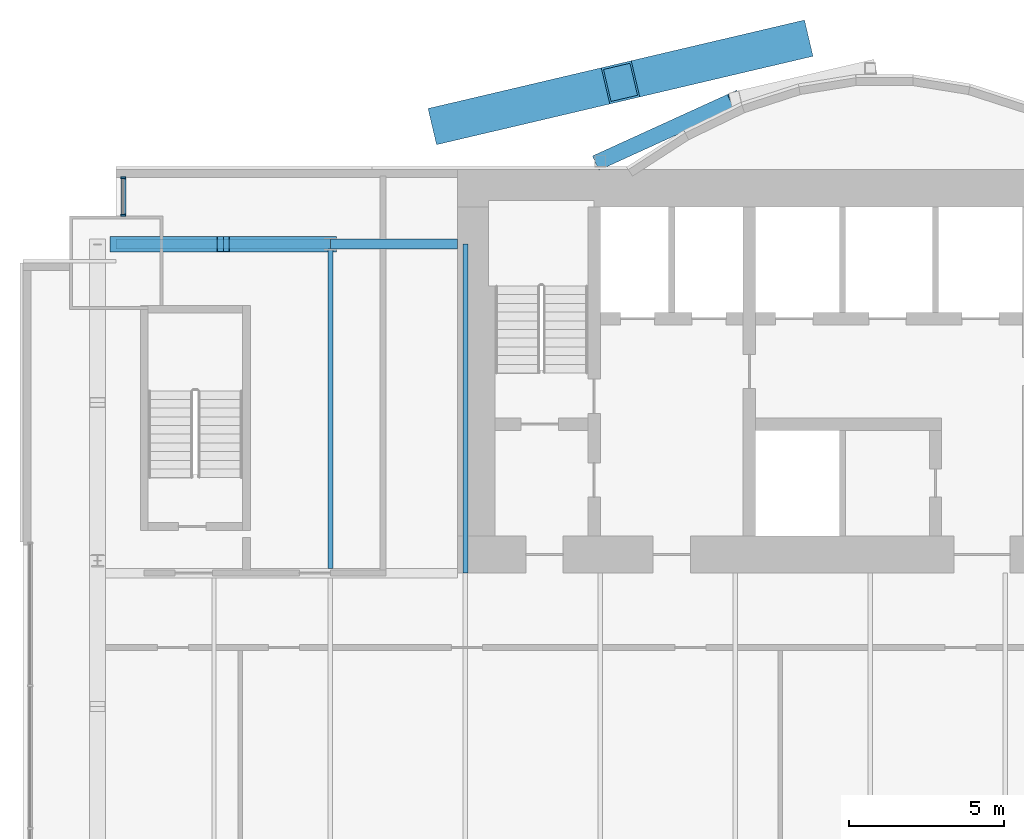
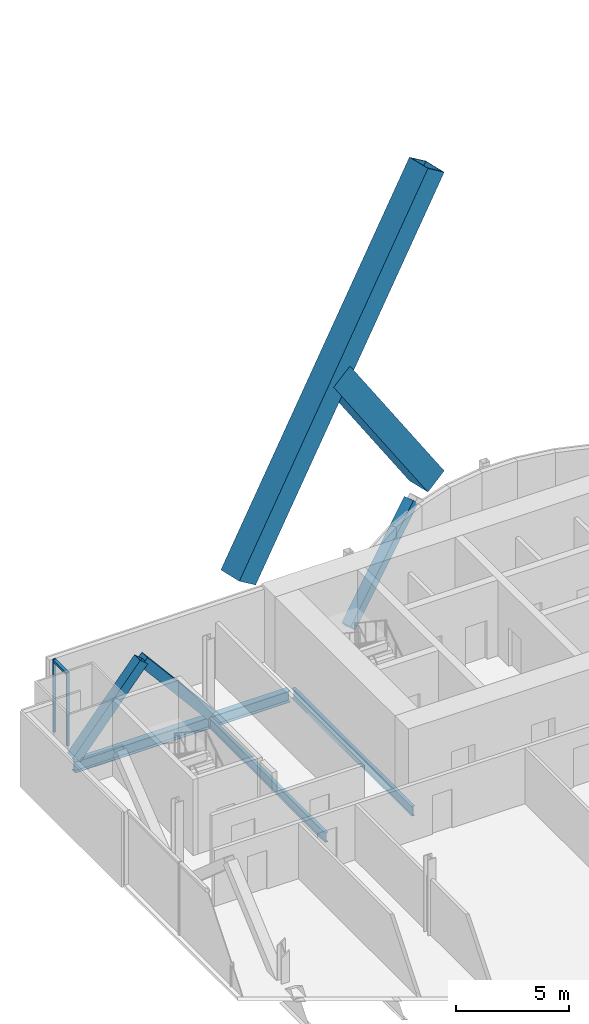
# One storey, part 11 of 22: 8 members, 4 beams, 1 element without a shape of its own.
"""IFC4 building model written with IfcOpenShell, lengths in metres."""

from ifc_helpers import new_model, si_unit, direction, frame, origin, origin_2d, place, context, subcontext, project, spatial, rectangle, hollow_rectangle, i_section, extrude, material, material_profile, profile_set, type_object, element, aggregate, save


model = new_model("IFC4")

# Units and contexts
model_context = context("Model", 3, precision=1e-05, world=origin(), true_north=direction((0.0, 1.0)))
body_context = subcontext(model_context, "Body", "Model", "MODEL_VIEW")
ifc_project = project(units=[si_unit("LENGTHUNIT", "METRE"), si_unit("AREAUNIT", "SQUARE_METRE"), si_unit("VOLUMEUNIT", "CUBIC_METRE"), si_unit("PLANEANGLEUNIT", "RADIAN"), si_unit("MASSUNIT", "GRAM", prefix="KILO")], contexts=[model_context])

# Site, building, storey
site_placement = place(None, origin())
site = spatial("IfcSite", under=ifc_project, at=site_placement, CompositionType="ELEMENT")
building_placement = place(site_placement, origin())
building = spatial("IfcBuilding", under=site, at=building_placement, Name="Bicima Exchange Tower", CompositionType="ELEMENT")
storey_placement = place(building_placement, frame((0.0, 0.0, 102.199951171875)))
storey = spatial("IfcBuildingStorey", under=building, at=storey_placement, Name="L21", CompositionType="ELEMENT", Elevation=102.199951171875)

# Members
ifc_material_1 = material(Name="Steel ASTM A572 Gr 50", Category="steel")
ifc_material_profile_1 = material_profile(ifc_material_1, hollow_rectangle(XDim=1.199951171875, YDim=1.199951171875, WallThickness=0.070068359375, at=origin_2d()))
ifc_profile_set_1 = profile_set([ifc_material_profile_1], Name="Steel ASTM A572 Gr 50")
member_type_1 = type_object("IfcMemberType", Name="Exo mega brace BOX 1200x1200x70", PredefinedType="BRACE", material=ifc_profile_set_1)
member_1_placement = place(storey_placement, frame((-22.333251953125, 1.5, 3.63330078125), z_axis=(0.54817644634, 0.128864251848, 0.826375573377), x_axis=(-0.228840031766, 0.973464041381, 0.0)))
element("IfcMember", 1, at=member_1_placement, inside=storey, type_object=member_type_1, Name="Exo mega brace rear", PredefinedType="BRACE", context=body_context, shape_type="SweptSolid", body=[
    extrude(hollow_rectangle(XDim=1.199951171875, YDim=1.199951171875, WallThickness=0.070068359375, at=origin_2d()), origin(), (0.0, 0.0, 1.0), 20.370361328125),
])
member_2_placement = place(storey_placement, frame((-11.166748046875, 4.125, 3.63330078125), z_axis=(-0.54817644634, -0.128864251848, 0.826375573377), x_axis=(0.228840031766, -0.973464041381, 0.0)))
element("IfcMember", 2, at=member_2_placement, inside=storey, type_object=member_type_1, Name="Exo mega brace rear", PredefinedType="BRACE", context=body_context, shape_type="SweptSolid", body=[
    extrude(hollow_rectangle(XDim=1.199951171875, YDim=1.199951171875, WallThickness=0.070068359375, at=origin_2d()), origin(), (0.0, 0.0, 1.0), 10.18505859375),
])

# Beams
ifc_material_2 = material(Name="Steel ASTM A992 Gr 50", Category="steel")
ifc_material_profile_2 = material_profile(ifc_material_2, i_section(OverallWidth=0.165771484375, OverallDepth=0.5283203125, WebThickness=0.009765625, FlangeThickness=0.013671875, at=origin_2d()))
ifc_profile_set_2 = profile_set([ifc_material_profile_2], Name="Steel ASTM A992 Gr 50")
beam_type_1 = type_object("IfcBeamType", Name="Floor beam W21x50", PredefinedType="JOIST", material=ifc_profile_set_2)
beam_1_placement = place(storey_placement, frame((-26.10009765625, -2.5625, -0.4140625), z_axis=(0.0, -1.0, 0.0), x_axis=(1.0, 0.0, 0.0)))
element("IfcBeam", 3, at=beam_1_placement, inside=storey, type_object=beam_type_1, Name="Floor beam", PredefinedType="JOIST", context=body_context, shape_type="SweptSolid", body=[
    extrude(i_section(OverallWidth=0.165771484375, OverallDepth=0.5283203125, WebThickness=0.009765625, FlangeThickness=0.013671875, at=origin_2d()), origin(), (0.0, 0.0, 1.0), 10.28515625),
])
beam_2_placement = place(storey_placement, frame((-21.75, -2.39990234375, -0.4140625), z_axis=(0.0, -1.0, 0.0), x_axis=(1.0, 0.0, 0.0)))
element("IfcBeam", 4, at=beam_2_placement, inside=storey, type_object=beam_type_1, Name="Floor beam", PredefinedType="JOIST", context=body_context, shape_type="SweptSolid", body=[
    extrude(i_section(OverallWidth=0.165771484375, OverallDepth=0.5283203125, WebThickness=0.009765625, FlangeThickness=0.013671875, at=origin_2d()), origin(), (0.0, 0.0, 1.0), 10.60009765625),
])

# Curtain wall, members
ifc_material_3 = material(Name="Anodised bronze aluminium", Category="aluminium")
curtain_wall_type = type_object("IfcCurtainWallType", Name="Front glass wall", PredefinedType="NOTDEFINED", material=ifc_material_3)
curtain_wall_placement = place(storey_placement, origin())
curtain_wall = element("IfcCurtainWall", 5, at=curtain_wall_placement, inside=storey, type_object=curtain_wall_type, Name="Front glass wall L21 run 1", PredefinedType="NOTDEFINED")
ifc_material_profile_3 = material_profile(ifc_material_3, rectangle(XDim=0.159912109375, YDim=0.06005859375, at=origin_2d()))
ifc_profile_set_3 = profile_set([ifc_material_profile_3], Name="Anodised bronze aluminium")
member_type_2 = type_object("IfcMemberType", Name="Front glass wall mullion 60 x 160", PredefinedType="MULLION", material=ifc_profile_set_3)
member_3_placement = place(storey_placement, frame((-32.77001953125, -0.260009765625, 0.0), z_axis=(0.0, 0.0, 1.0), x_axis=(1.0, 0.0, 0.0)))
member_3 = element("IfcMember", 6, at=member_3_placement, type_object=member_type_2, Name="Front glass wall mullion 1", PredefinedType="MULLION", context=body_context, shape_type="SweptSolid", body=[
    extrude(rectangle(XDim=0.159912109375, YDim=0.06005859375, at=origin_2d()), origin(), (0.0, 0.0, 1.0), 3.949951171875),
])
member_4_placement = place(storey_placement, frame((-32.77001953125, -1.469970703125, 0.0), z_axis=(0.0, 0.0, 1.0), x_axis=(1.0, 0.0, 0.0)))
member_4 = element("IfcMember", 7, at=member_4_placement, type_object=member_type_2, Name="Front glass wall mullion 2", PredefinedType="MULLION", context=body_context, shape_type="SweptSolid", body=[
    extrude(rectangle(XDim=0.159912109375, YDim=0.06005859375, at=origin_2d()), origin(), (0.0, 0.0, 1.0), 3.949951171875),
])
ifc_material_profile_4 = material_profile(ifc_material_3, rectangle(XDim=0.159912109375, YDim=0.139892578125, at=origin_2d()))
ifc_profile_set_4 = profile_set([ifc_material_profile_4], Name="Anodised bronze aluminium")
member_type_3 = type_object("IfcMemberType", Name="Front glass wall transom 140 x 160", PredefinedType="USERDEFINED", material=ifc_profile_set_4)
member_5_placement = place(storey_placement, frame((-32.77001953125, -0.2900390625, 3.880126953125), z_axis=(0.0, -1.0, 0.0), x_axis=(1.0, 0.0, 0.0)))
member_5 = element("IfcMember", 8, at=member_5_placement, type_object=member_type_3, Name="Front glass wall transom 1.1", ObjectType="TRANSOM", PredefinedType="USERDEFINED", context=body_context, shape_type="SweptSolid", body=[
    extrude(rectangle(XDim=0.159912109375, YDim=0.139892578125, at=origin_2d()), origin(), (0.0, 0.0, 1.0), 1.14990234375),
])
aggregate(curtain_wall, [member_3, member_4, member_5])

# Members
ifc_material_profile_5 = material_profile(ifc_material_1, hollow_rectangle(XDim=0.508056640625, YDim=0.508056640625, WallThickness=0.0146484375, at=origin_2d()))
ifc_profile_set_5 = profile_set([ifc_material_profile_5], Name="Steel ASTM A572 Gr 50")
member_type_4 = type_object("IfcMemberType", Name="Mega brace HSS20x20x5/8", PredefinedType="BRACE", material=ifc_profile_set_5)
member_6_placement = place(storey_placement, frame((-17.39990234375, 0.278076171875, 0.0), z_axis=(0.690628963585, 0.315060460011, 0.650975069565), x_axis=(-0.415045223819, 0.909800781592, 0.0)))
element("IfcMember", 9, at=member_6_placement, inside=storey, type_object=member_type_4, Name="Mega brace rexo", PredefinedType="BRACE", context=body_context, shape_type="SweptSolid", body=[
    extrude(hollow_rectangle(XDim=0.508056640625, YDim=0.508056640625, WallThickness=0.0146484375, at=origin_2d()), origin(), (0.0, 0.0, 1.0), 6.29833984375),
])
for number, where, z_axis, x_axis, name in (
    (10, (-33.0, -2.39990234375, 0.0), (0.643834042494, 0.0, 0.765165162384), (0.0, 1.0, 0.0), "Mega brace rear"),
    (11, (-26.10009765625, -2.39990234375, 0.0), (-0.643834042494, 0.0, 0.765165162384), (0.0, -1.0, 0.0), "Mega brace rear"),
):
    element("IfcMember", number, at=place(storey_placement, frame(where, z_axis=z_axis, x_axis=x_axis)), inside=storey, type_object=member_type_4, Name=name, PredefinedType="BRACE", context=body_context, shape_type="SweptSolid", body=[
        extrude(hollow_rectangle(XDim=0.508056640625, YDim=0.508056640625, WallThickness=0.0146484375, at=origin_2d()), origin(), (0.0, 0.0, 1.0), 5.3583984375),
    ])

# Beams
ifc_material_profile_6 = material_profile(ifc_material_2, i_section(OverallWidth=0.3251953125, OverallDepth=0.612060546875, WebThickness=0.0126953125, FlangeThickness=0.01904296875, at=origin_2d()))
ifc_profile_set_6 = profile_set([ifc_material_profile_6], Name="Steel ASTM A992 Gr 50")
beam_type_2 = type_object("IfcBeamType", Name="Rear girder W24x104", PredefinedType="BEAM", material=ifc_profile_set_6)
beam_3_placement = place(storey_placement, frame((-22.0, -2.39990234375, -0.4560546875), z_axis=(-1.0, 0.0, 0.0), x_axis=(0.0, -1.0, 0.0)))
element("IfcBeam", 12, at=beam_3_placement, inside=storey, type_object=beam_type_2, Name="Rear girder", PredefinedType="BEAM", context=body_context, shape_type="SweptSolid", body=[
    extrude(i_section(OverallWidth=0.3251953125, OverallDepth=0.612060546875, WebThickness=0.0126953125, FlangeThickness=0.01904296875, at=origin_2d()), origin(), (0.0, 0.0, 1.0), 4.10009765625),
])
beam_4_placement = place(storey_placement, frame((-26.10009765625, -2.39990234375, -0.4560546875), z_axis=(-1.0, 0.0, 0.0), x_axis=(0.0, -1.0, 0.0)))
element("IfcBeam", 13, at=beam_4_placement, inside=storey, type_object=beam_type_2, Name="Rear girder", PredefinedType="BEAM", context=body_context, shape_type="SweptSolid", body=[
    extrude(i_section(OverallWidth=0.3251953125, OverallDepth=0.612060546875, WebThickness=0.0126953125, FlangeThickness=0.01904296875, at=origin_2d()), origin(), (0.0, 0.0, 1.0), 6.89990234375),
])

save(model, "model.ifc")
